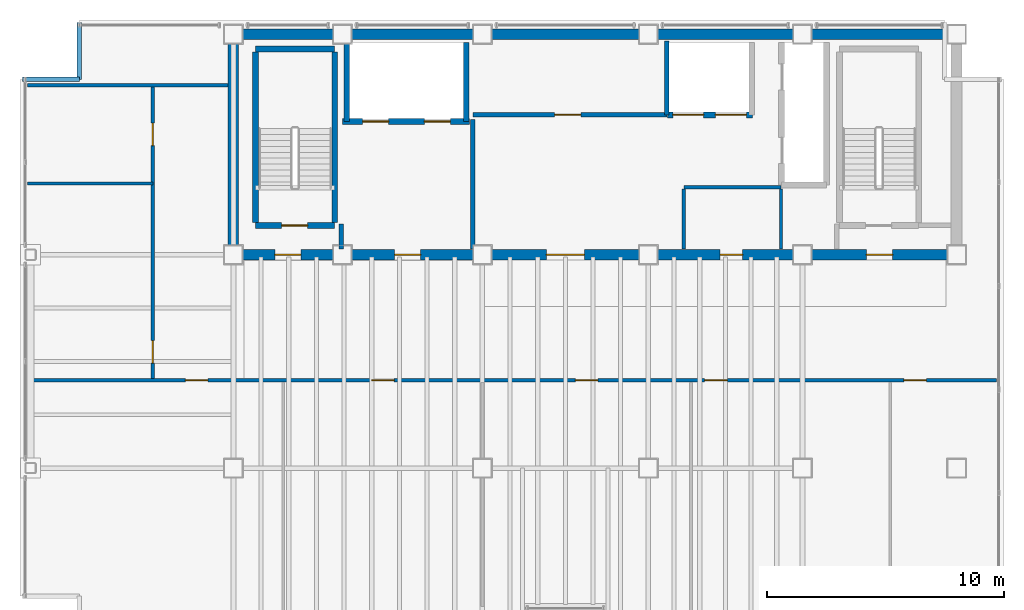
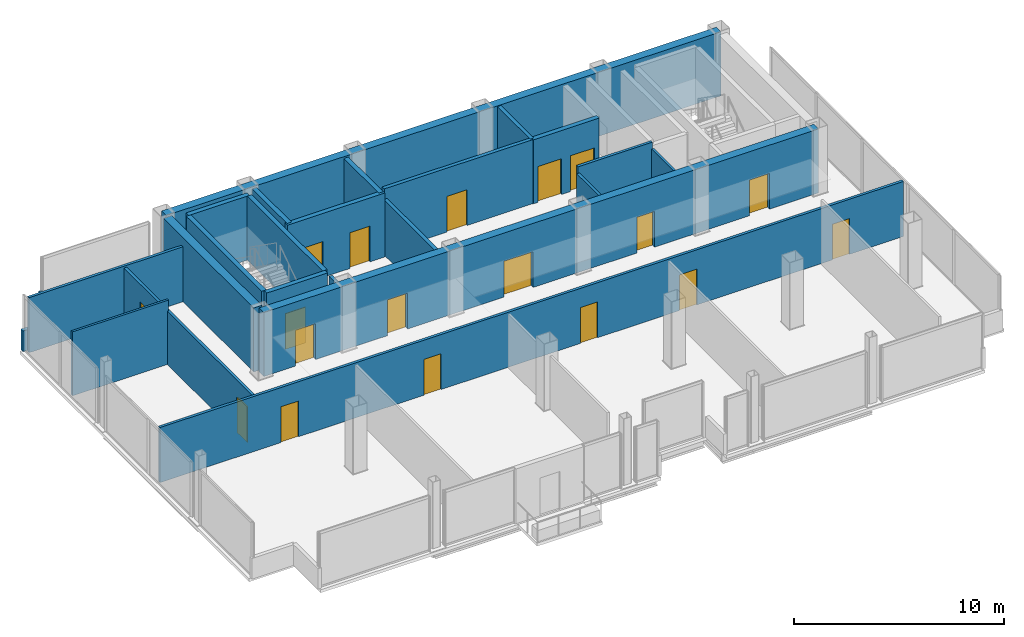
# One storey, part 14 of 16: 24 walls, 18 doors, 18 openings.
"""IFC4 building model written with IfcOpenShell, lengths in metres."""

import ifcopenshell
import ifcopenshell.guid

model = None  # the IFC model being written
_history = None  # IfcOwnerHistory: only IFC2X3 demands one
_inside = {}  # id of a spatial element -> (the spatial element, [elements in it])
_under = {}  # id of a project, library or spatial element -> (it, [spatial elements below it])
_declared = {}  # id of a project -> (the project, [libraries it declares])
_typed = {}  # id of a type object -> (the type object, [elements of that type])
_made_of = {}  # id of a material, layer set ... -> (it, [elements and type objects made of it])


def new_model(schema):
    """Start an empty IFC model of exactly this schema.

    Asked for "IFC4X3", IfcOpenShell would pick the latest addendum, in which some entities
    have other attributes; the version numbers below select the first issue.
    IFC2X3 requires an IfcOwnerHistory on every rooted entity: one is made here for all.
    """
    global model, _history
    if schema == "IFC4X3":
        model = ifcopenshell.file(schema_version=(4, 3, 0, 0))
    else:
        model = ifcopenshell.file(schema=schema)
    _inside.clear()
    _under.clear()
    _declared.clear()
    _typed.clear()
    _made_of.clear()
    _history = None
    if model.schema == "IFC2X3":
        org = make("IfcOrganization", Name="unknown")
        user = make(
            "IfcPersonAndOrganization",
            ThePerson=make("IfcPerson", FamilyName="unknown"),
            TheOrganization=org,
        )
        app = make(
            "IfcApplication",
            ApplicationDeveloper=org,
            Version="unknown",
            ApplicationFullName="unknown",
            ApplicationIdentifier="unknown",
        )
        _history = make(
            "IfcOwnerHistory",
            OwningUser=user,
            OwningApplication=app,
            ChangeAction="ADDED",
            CreationDate=0,
        )
    return model


def make(cls, **values):
    """One entity of the class cls with the attributes given. An attribute that is None is left unset."""
    return model.create_entity(
        cls, **{name: value for name, value in values.items() if value is not None}
    )


def rooted(cls, **values):
    """An entity with a GlobalId (a new one), such as an element, a storey or a relation."""
    return make(cls, GlobalId=ifcopenshell.guid.new(), OwnerHistory=_history, **values)


def si_unit(unit_type, name, prefix=None):
    """IfcSIUnit, for example si_unit("LENGTHUNIT", "METRE", prefix="MILLI")."""
    return make("IfcSIUnit", UnitType=unit_type, Prefix=prefix, Name=name)


def assignment(units):
    """IfcUnitAssignment: the units of a project."""
    return None if units is None else make("IfcUnitAssignment", Units=units)


def point(xyz):
    """IfcCartesianPoint."""
    return None if xyz is None else make("IfcCartesianPoint", Coordinates=xyz)


def direction(xyz):
    """IfcDirection."""
    return None if xyz is None else make("IfcDirection", DirectionRatios=xyz)


def frame(location, z_axis=None, x_axis=None):
    """IfcAxis2Placement3D, a coordinate frame: its origin and axes. An axis left out is left unset."""
    return make(
        "IfcAxis2Placement3D",
        Location=point(location),
        Axis=direction(z_axis),
        RefDirection=direction(x_axis),
    )


def frame_2d(location, x_axis=None):
    """IfcAxis2Placement2D, a coordinate frame in the plane: its origin and x axis."""
    return make(
        "IfcAxis2Placement2D", Location=point(location), RefDirection=direction(x_axis)
    )


def origin():
    """The frame at (0, 0, 0) with its axes left unset."""
    return frame((0.0, 0.0, 0.0))


def place(relative_to, where):
    """IfcLocalPlacement: puts the frame where relative to a parent placement (None: the world)."""
    return make(
        "IfcLocalPlacement", PlacementRelTo=relative_to, RelativePlacement=where
    )


def context(
    kind, dimensions, precision=None, world=None, true_north=None, identifier=None
):
    """IfcGeometricRepresentationContext, for example the 3D "Model" context."""
    return make(
        "IfcGeometricRepresentationContext",
        ContextIdentifier=identifier,
        ContextType=kind,
        CoordinateSpaceDimension=dimensions,
        Precision=precision,
        WorldCoordinateSystem=world,
        TrueNorth=true_north,
    )


def subcontext(parent, identifier, kind, view, scale=None):
    """IfcGeometricRepresentationSubContext, for example "Body" below "Model"."""
    return make(
        "IfcGeometricRepresentationSubContext",
        ContextIdentifier=identifier,
        ContextType=kind,
        ParentContext=parent,
        TargetScale=scale,
        TargetView=view,
    )


def project(units=None, contexts=None):
    """IfcProject with its units and contexts."""
    return rooted(
        "IfcProject",
        Name="project",
        RepresentationContexts=contexts,
        UnitsInContext=assignment(units),
    )


def spatial(cls, under=None, at=None, **own):
    """A site, building, storey or space (cls), placed at a placement, below another one or the project."""
    s = rooted(cls, ObjectPlacement=at, **own)
    if under is not None:
        _under.setdefault(under.id(), (under, []))[1].append(s)
    return s


def profile(cls, at=None, kind="AREA", **sizes):
    """A parametric profile (cls). Its sizes go by their IFC names, for example OverallWidth=200.0."""
    return make(cls, ProfileType=kind, Position=at, **sizes)


def rectangle(**sizes):
    """IfcRectangleProfileDef."""
    return profile("IfcRectangleProfileDef", **sizes)


def extrude(swept, where, along, depth):
    """IfcExtrudedAreaSolid: the profile swept, set in the frame where, extruded along a direction by depth."""
    return make(
        "IfcExtrudedAreaSolid",
        SweptArea=swept,
        Position=where,
        ExtrudedDirection=direction(along),
        Depth=depth,
    )


def shape(context_of_items, identifier, shape_type, items):
    """IfcShapeRepresentation: the items that make up one representation, for example the "Body"."""
    return make(
        "IfcShapeRepresentation",
        ContextOfItems=context_of_items,
        RepresentationIdentifier=identifier,
        RepresentationType=shape_type,
        Items=items,
    )


def material(Name=None, Category=None):
    """IfcMaterial."""
    return make("IfcMaterial", Name=Name, Category=Category)


def layer(
    of_material, thickness, ventilated=None, Name=None, Category=None, Priority=None
):
    """IfcMaterialLayer: one layer of a wall or slab, of a material (None: an air gap)."""
    return make(
        "IfcMaterialLayer",
        Material=of_material,
        LayerThickness=thickness,
        IsVentilated=ventilated,
        Name=Name,
        Category=Category,
        Priority=Priority,
    )


def layer_set(layers, Name=None):
    """IfcMaterialLayerSet."""
    return make("IfcMaterialLayerSet", MaterialLayers=layers, LayerSetName=Name)


def made_of(thing, what):
    """Note that an element or type object is made of a material, layer set ...; save() writes the relation."""
    if what is not None:
        _made_of.setdefault(what.id(), (what, []))[1].append(thing)
    return thing


def type_object(cls, material=None, **own):
    """A type object (cls), such as IfcWallType, which elements share."""
    return made_of(rooted(cls, **own), material)


def element(
    cls,
    number,
    at=None,
    inside=None,
    cuts=None,
    type_object=None,
    material=None,
    context=None,
    identifier="Body",
    shape_type=None,
    held_by="IfcProductDefinitionShape",
    body=None,
    shapes=None,
    **own,
):
    """One element of the class cls, such as IfcWall. Its Tag is "e" and its number.

    at: its placement. inside: the storey or other place that contains it. cuts: it is an
    opening in that element (IfcRelVoidsElement). A single representation is given by context,
    identifier, shape_type and body (its items); several are given by shapes. held_by: the class
    of the entity that holds the representations. save() writes the other relations.
    """
    e = rooted(cls, Tag="e%d" % number, ObjectPlacement=at, **own)
    if body is not None:
        shapes = [shape(context, identifier, shape_type, body)]
    if shapes is not None:
        e.Representation = make(held_by, Representations=shapes)
    if inside is not None:
        _inside.setdefault(inside.id(), (inside, []))[1].append(e)
    if cuts is not None:
        rooted(
            "IfcRelVoidsElement", RelatingBuildingElement=cuts, RelatedOpeningElement=e
        )
    if type_object is not None:
        _typed.setdefault(type_object.id(), (type_object, []))[1].append(e)
    return made_of(e, material)


def fill(opening, filler):
    """IfcRelFillsElement: the door or window that sits in an opening."""
    return rooted(
        "IfcRelFillsElement",
        RelatingOpeningElement=opening,
        RelatedBuildingElement=filler,
    )


def aggregate(whole, parts):
    """IfcRelAggregates: a whole, such as a stair, and the parts it consists of."""
    return rooted("IfcRelAggregates", RelatingObject=whole, RelatedObjects=parts)


def save(model, path):
    """Write the relations noted so far, then the file.

    IfcRelAggregates (storeys below a building ...), IfcRelContainedInSpatialStructure (elements
    in a storey), IfcRelDefinesByType, IfcRelAssociatesMaterial and IfcRelDeclares: one each for
    every whole, place, type object, material and project.
    """
    for whole, parts in _under.values():
        aggregate(whole, parts)
    for where, things in _inside.values():
        rooted(
            "IfcRelContainedInSpatialStructure",
            RelatedElements=things,
            RelatingStructure=where,
        )
    for kind, things in _typed.values():
        rooted("IfcRelDefinesByType", RelatedObjects=things, RelatingType=kind)
    for what, things in _made_of.values():
        rooted("IfcRelAssociatesMaterial", RelatedObjects=things, RelatingMaterial=what)
    for by, libraries in _declared.values():
        rooted("IfcRelDeclares", RelatingContext=by, RelatedDefinitions=libraries)
    model.write(path)


model = new_model("IFC4")

# Units and contexts
model_context = context("Model", 3, precision=1e-05, world=origin(), true_north=direction((0.0, 1.0)))
body_context = subcontext(model_context, "Body", "Model", "MODEL_VIEW")
ifc_project = project(units=[si_unit("LENGTHUNIT", "METRE"), si_unit("AREAUNIT", "SQUARE_METRE"), si_unit("VOLUMEUNIT", "CUBIC_METRE"), si_unit("PLANEANGLEUNIT", "RADIAN"), si_unit("MASSUNIT", "GRAM", prefix="KILO")], contexts=[model_context])

# Site, building, storey
site_placement = place(None, origin())
site = spatial("IfcSite", under=ifc_project, at=site_placement, CompositionType="ELEMENT")
building_placement = place(site_placement, origin())
building = spatial("IfcBuilding", under=site, at=building_placement, Name="Noeulbin Bourse Tower", CompositionType="ELEMENT")
storey_placement = place(building_placement, frame((0.0, 0.0, 234.5)))
storey = spatial("IfcBuildingStorey", under=building, at=storey_placement, Name="L58", CompositionType="ELEMENT", Elevation=234.5)

# Wall, openings, doors
ifc_material_1 = material(Name="Concrete C50/60", Category="concrete")
ifc_layer_1 = layer(ifc_material_1, 0.449951171875)
ifc_layer_set_1 = layer_set([ifc_layer_1], Name="Concrete C50/60")
wall_type_1 = type_object("IfcWallType", Name="WAL-CORE-450", PredefinedType="SHEAR", material=ifc_layer_set_1)
wall_1_placement = place(storey_placement, frame((13.5, 29.0, 0.0), z_axis=(0.0, 0.0, 1.0), x_axis=(1.0, 0.0, 0.0)))
wall_1 = element("IfcWall", 1, at=wall_1_placement, inside=storey, type_object=wall_type_1, Name="Rear Core South Shear Wall L58", PredefinedType="SHEAR", context=body_context, shape_type="SweptSolid", body=[
    extrude(rectangle(XDim=30.5, YDim=0.449951171875, at=frame_2d((15.25, 0.0))), origin(), (0.0, 0.0, 1.0), 3.719970703125),
])
opening_1_placement = place(wall_1_placement, frame((1.75, 0.0, 0.0)))
opening_1 = element("IfcOpeningElement", 2, at=opening_1_placement, cuts=wall_1, Name="Opening FD-11", PredefinedType="OPENING", context=body_context, shape_type="SweptSolid", body=[
    extrude(rectangle(XDim=1.10009765625, YDim=2.080078125, at=frame_2d((0.550048828125, 1.0400390625))), frame((0.0, 0.23486328125, 0.0), z_axis=(0.0, -1.0, 0.0), x_axis=(1.0, 0.0, 0.0)), (0.0, 0.0, 1.0), 0.469970703125),
])
opening_2_placement = place(wall_1_placement, frame((26.699951171875, 0.0, 0.0)))
opening_2 = element("IfcOpeningElement", 3, at=opening_2_placement, cuts=wall_1, Name="Opening FD-11", PredefinedType="OPENING", context=body_context, shape_type="SweptSolid", body=[
    extrude(rectangle(XDim=1.10009765625, YDim=2.080078125, at=frame_2d((0.550048828125, 1.0400390625))), frame((0.0, 0.23486328125, 0.0), z_axis=(0.0, -1.0, 0.0), x_axis=(1.0, 0.0, 0.0)), (0.0, 0.0, 1.0), 0.469970703125),
])
opening_3_placement = place(wall_1_placement, frame((6.800048828125, 0.0, 0.0)))
opening_3 = element("IfcOpeningElement", 4, at=opening_3_placement, cuts=wall_1, Name="Opening FD-11", PredefinedType="OPENING", context=body_context, shape_type="SweptSolid", body=[
    extrude(rectangle(XDim=1.10009765625, YDim=2.080078125, at=frame_2d((0.550048828125, 1.0400390625))), frame((0.0, 0.23486328125, 0.0), z_axis=(0.0, -1.0, 0.0), x_axis=(1.0, 0.0, 0.0)), (0.0, 0.0, 1.0), 0.469970703125),
])
opening_4_placement = place(wall_1_placement, frame((13.199951171875, 0.0, 0.0)))
opening_4 = element("IfcOpeningElement", 5, at=opening_4_placement, cuts=wall_1, Name="Opening ID-16", PredefinedType="OPENING", context=body_context, shape_type="SweptSolid", body=[
    extrude(rectangle(XDim=1.60009765625, YDim=2.080078125, at=frame_2d((0.800048828125, 1.0400390625))), frame((0.0, 0.23486328125, 0.0), z_axis=(0.0, -1.0, 0.0), x_axis=(1.0, 0.0, 0.0)), (0.0, 0.0, 1.0), 0.469970703125),
])
opening_5_placement = place(wall_1_placement, frame((20.52490234375, 0.0, 0.0)))
opening_5 = element("IfcOpeningElement", 6, at=opening_5_placement, cuts=wall_1, Name="Opening ID-09", PredefinedType="OPENING", context=body_context, shape_type="SweptSolid", body=[
    extrude(rectangle(XDim=0.949951171875, YDim=2.080078125, at=frame_2d((0.47509765625, 1.0400390625))), frame((0.0, 0.23486328125, 0.0), z_axis=(0.0, -1.0, 0.0), x_axis=(1.0, 0.0, 0.0)), (0.0, 0.0, 1.0), 0.469970703125),
])
ifc_material_2 = material(Name="Acoustic Glazed Aluminium", Category="aluminium")
door_type_1 = type_object("IfcDoorType", Name="DR-DBL-1600", OperationType="DOUBLE_DOOR_SINGLE_SWING", PredefinedType="DOOR", material=ifc_material_2)
door_1_placement = place(opening_4_placement, origin())
door_1 = element("IfcDoor", 7, at=door_1_placement, inside=storey, type_object=door_type_1, Name="Passenger Lift Lobby Portal L58", OperationType="DOUBLE_DOOR_SINGLE_SWING", OverallHeight=2.080078125, OverallWidth=1.60009765625, PredefinedType="DOOR", context=body_context, shape_type="SweptSolid", body=[
    extrude(rectangle(XDim=1.60009765625, YDim=2.080078125, at=frame_2d((0.800048828125, 1.0400390625))), frame((0.0, 0.02490234375, 0.0), z_axis=(0.0, -1.0, 0.0), x_axis=(1.0, 0.0, 0.0)), (0.0, 0.0, 1.0), 0.050048828125),
])
fill(opening_4, door_1)
ifc_material_3 = material(Name="Fire-Rated Insulated Steel", Category="steel")
door_type_2 = type_object("IfcDoorType", Name="DR-FD60-1100", OperationType="SINGLE_SWING_LEFT", PredefinedType="DOOR", material=ifc_material_3)
door_2_placement = place(opening_1_placement, origin())
door_2 = element("IfcDoor", 8, at=door_2_placement, inside=storey, type_object=door_type_2, Name="West Stair Lobby Door L58", OperationType="SINGLE_SWING_RIGHT", OverallHeight=2.080078125, OverallWidth=1.10009765625, PredefinedType="DOOR", context=body_context, shape_type="SweptSolid", body=[
    extrude(rectangle(XDim=1.10009765625, YDim=2.080078125, at=frame_2d((0.550048828125, 1.0400390625))), frame((0.0, 0.02490234375, 0.0), z_axis=(0.0, -1.0, 0.0), x_axis=(1.0, 0.0, 0.0)), (0.0, 0.0, 1.0), 0.050048828125),
])
fill(opening_1, door_2)
door_3_placement = place(opening_2_placement, origin())
door_3 = element("IfcDoor", 9, at=door_3_placement, inside=storey, type_object=door_type_2, Name="East Stair Lobby Door L58", OperationType="SINGLE_SWING_LEFT", OverallHeight=2.080078125, OverallWidth=1.10009765625, PredefinedType="DOOR", context=body_context, shape_type="SweptSolid", body=[
    extrude(rectangle(XDim=1.10009765625, YDim=2.080078125, at=frame_2d((0.550048828125, 1.0400390625))), frame((0.0, 0.02490234375, 0.0), z_axis=(0.0, -1.0, 0.0), x_axis=(1.0, 0.0, 0.0)), (0.0, 0.0, 1.0), 0.050048828125),
])
fill(opening_2, door_3)
door_4_placement = place(opening_3_placement, origin())
door_4 = element("IfcDoor", 10, at=door_4_placement, inside=storey, type_object=door_type_2, Name="Firefighting Lobby Door L58", OperationType="SINGLE_SWING_RIGHT", OverallHeight=2.080078125, OverallWidth=1.10009765625, PredefinedType="DOOR", context=body_context, shape_type="SweptSolid", body=[
    extrude(rectangle(XDim=1.10009765625, YDim=2.080078125, at=frame_2d((0.550048828125, 1.0400390625))), frame((0.0, 0.02490234375, 0.0), z_axis=(0.0, -1.0, 0.0), x_axis=(1.0, 0.0, 0.0)), (0.0, 0.0, 1.0), 0.050048828125),
])
fill(opening_3, door_4)
ifc_material_4 = material(Name="Acoustic Solid-Core Timber", Category="wood")
door_type_3 = type_object("IfcDoorType", Name="DR-SINGLE-950", OperationType="SINGLE_SWING_LEFT", PredefinedType="DOOR", material=ifc_material_4)
door_5_placement = place(opening_5_placement, origin())
door_5 = element("IfcDoor", 11, at=door_5_placement, inside=storey, type_object=door_type_3, Name="Interior Door L58-06", OperationType="SINGLE_SWING_LEFT", OverallHeight=2.080078125, OverallWidth=0.949951171875, PredefinedType="DOOR", context=body_context, shape_type="SweptSolid", body=[
    extrude(rectangle(XDim=0.949951171875, YDim=2.080078125, at=frame_2d((0.47509765625, 1.0400390625))), frame((0.0, 0.02490234375, 0.0), z_axis=(0.0, -1.0, 0.0), x_axis=(1.0, 0.0, 0.0)), (0.0, 0.0, 1.0), 0.050048828125),
])
fill(opening_5, door_5)

# Walls
wall_2_placement = place(storey_placement, frame((13.5, 38.300048828125, 0.0), z_axis=(0.0, 0.0, 1.0), x_axis=(1.0, 0.0, 0.0)))
element("IfcWall", 12, at=wall_2_placement, inside=storey, type_object=wall_type_1, Name="Rear Core North Shear Wall L58", PredefinedType="SHEAR", context=body_context, shape_type="SweptSolid", body=[
    extrude(rectangle(XDim=30.5, YDim=0.449951171875, at=frame_2d((15.25, 0.0))), origin(), (0.0, 0.0, 1.0), 3.719970703125),
])
wall_3_placement = place(storey_placement, frame((13.5, 29.35009765625, 0.0), z_axis=(0.0, 0.0, 1.0), x_axis=(0.0, 1.0, 0.0)))
element("IfcWall", 13, at=wall_3_placement, inside=storey, type_object=wall_type_1, Name="Rear Core West Shear Wall L58", PredefinedType="SHEAR", context=body_context, shape_type="SweptSolid", body=[
    extrude(rectangle(XDim=8.599853515625, YDim=0.449951171875, at=frame_2d((4.2998046875, 0.0))), origin(), (0.0, 0.0, 1.0), 3.719970703125),
])

# Wall, opening, door
ifc_material_5 = material(Name="Concrete C40/50", Category="concrete")
ifc_layer_2 = layer(ifc_material_5, 0.199951171875)
ifc_layer_set_2 = layer_set([ifc_layer_2], Name="Concrete C40/50")
wall_type_2 = type_object("IfcWallType", Name="WAL-FIRE-200", PredefinedType="STANDARD", material=ifc_layer_set_2)
wall_4_placement = place(storey_placement, frame((23.60009765625, 34.89990234375, 0.0), z_axis=(0.0, 0.0, 1.0), x_axis=(1.0, 0.0, 0.0)))
wall_4 = element("IfcWall", 14, at=wall_4_placement, inside=storey, type_object=wall_type_2, Name="Interior Partition Wall L58-02", PredefinedType="STANDARD", context=body_context, shape_type="SweptSolid", body=[
    extrude(rectangle(XDim=8.179931640625, YDim=0.199951171875, at=frame_2d((4.08984375, 0.0))), origin(), (0.0, 0.0, 1.0), 3.719970703125),
])
opening_6_placement = place(wall_4_placement, frame((3.449951171875, 0.0, 0.0)))
opening_6 = element("IfcOpeningElement", 15, at=opening_6_placement, cuts=wall_4, Name="Opening FD-11", PredefinedType="OPENING", context=body_context, shape_type="SweptSolid", body=[
    extrude(rectangle(XDim=1.10009765625, YDim=2.080078125, at=frame_2d((0.550048828125, 1.0400390625))), frame((0.0, 0.10986328125, 0.0), z_axis=(0.0, -1.0, 0.0), x_axis=(1.0, 0.0, 0.0)), (0.0, 0.0, 1.0), 0.219970703125),
])
door_6_placement = place(opening_6_placement, origin())
door_6 = element("IfcDoor", 16, at=door_6_placement, inside=storey, type_object=door_type_2, Name="Telemetry Server Door L58", OperationType="SINGLE_SWING_RIGHT", OverallHeight=2.080078125, OverallWidth=1.10009765625, PredefinedType="DOOR", context=body_context, shape_type="SweptSolid", body=[
    extrude(rectangle(XDim=1.10009765625, YDim=2.080078125, at=frame_2d((0.550048828125, 1.0400390625))), frame((0.0, 0.02490234375, 0.0), z_axis=(0.0, -1.0, 0.0), x_axis=(1.0, 0.0, 0.0)), (0.0, 0.0, 1.0), 0.050048828125),
])
fill(opening_6, door_6)

# Walls
wall_5_placement = place(storey_placement, frame((18.050048828125, 29.235107421875, 0.0), z_axis=(0.0, 0.0, 1.0), x_axis=(0.0, 1.0, 0.0)))
element("IfcWall", 17, at=wall_5_placement, inside=storey, type_object=wall_type_2, Name="Interior Partition Wall L58-07", PredefinedType="STANDARD", context=body_context, shape_type="SweptSolid", body=[
    extrude(rectangle(XDim=1.06494140625, YDim=0.199951171875, at=frame_2d((0.532470703125, 0.0))), origin(), (0.0, 0.0, 1.0), 3.35009765625),
])
wall_6_placement = place(storey_placement, frame((23.60009765625, 29.235107421875, 0.0), z_axis=(0.0, 0.0, 1.0), x_axis=(0.0, 1.0, 0.0)))
element("IfcWall", 18, at=wall_6_placement, inside=storey, type_object=wall_type_2, Name="Interior Partition Wall L58-09", PredefinedType="STANDARD", context=body_context, shape_type="SweptSolid", body=[
    extrude(rectangle(XDim=5.46484375, YDim=0.199951171875, at=frame_2d((2.732421875, 0.0))), origin(), (0.0, 0.0, 1.0), 3.199951171875),
])
ifc_layer_3 = layer(ifc_material_5, 0.199951171875)
ifc_layer_set_3 = layer_set([ifc_layer_3], Name="Concrete C40/50")
wall_type_3 = type_object("IfcWallType", Name="WAL-PAR-200", PredefinedType="PARAPET", material=ifc_layer_set_3)
wall_7_placement = place(storey_placement, frame((4.60009765625, 36.39990234375, 0.0), z_axis=(0.0, 0.0, 1.0), x_axis=(1.0, 0.0, 0.0)))
element("IfcWall", 19, at=wall_7_placement, inside=storey, type_object=wall_type_3, Name="Corner Notch Parapet L58-NW1", PredefinedType="PARAPET", context=body_context, shape_type="SweptSolid", body=[
    extrude(rectangle(XDim=2.39990234375, YDim=0.199951171875, at=frame_2d((1.199951171875, 0.0))), origin(), (0.0, 0.0, 1.0), 1.199951171875),
])
wall_8_placement = place(storey_placement, frame((7.0, 36.39990234375, 0.0), z_axis=(0.0, 0.0, 1.0), x_axis=(0.0, 1.0, 0.0)))
element("IfcWall", 20, at=wall_8_placement, inside=storey, type_object=wall_type_3, Name="Corner Notch Parapet L58-NW2", PredefinedType="PARAPET", context=body_context, shape_type="SweptSolid", body=[
    extrude(rectangle(XDim=2.400146484375, YDim=0.199951171875, at=frame_2d((1.2001953125, 0.0))), origin(), (0.0, 0.0, 1.0), 1.199951171875),
])
ifc_material_6 = material(Name="Steel Stud Gypsum Partition", Category="steel")
ifc_layer_4 = layer(ifc_material_6, 0.1201171875)
ifc_layer_set_4 = layer_set([ifc_layer_4], Name="Steel Stud Gypsum Partition")
wall_type_4 = type_object("IfcWallType", Name="WAL-PRT-120", PredefinedType="PARTITIONING", material=ifc_layer_set_4)
wall_9_placement = place(storey_placement, frame((4.81005859375, 32.0, 0.0), z_axis=(0.0, 0.0, 1.0), x_axis=(1.0, 0.0, 0.0)))
element("IfcWall", 21, at=wall_9_placement, inside=storey, type_object=wall_type_4, Name="Interior Partition Wall L58-06", PredefinedType="PARTITIONING", context=body_context, shape_type="SweptSolid", body=[
    extrude(rectangle(XDim=5.2900390625, YDim=0.1201171875, at=frame_2d((2.64501953125, 0.0))), origin(), (0.0, 0.0, 1.0), 3.719970703125),
])
wall_10_placement = place(storey_placement, frame((36.60009765625, 29.235107421875, 0.0), z_axis=(0.0, 0.0, 1.0), x_axis=(0.0, 1.0, 0.0)))
element("IfcWall", 22, at=wall_10_placement, inside=storey, type_object=wall_type_4, Name="Interior Partition Wall L58-11", PredefinedType="PARTITIONING", context=body_context, shape_type="SweptSolid", body=[
    extrude(rectangle(XDim=2.52978515625, YDim=0.1201171875, at=frame_2d((1.264892578125, 0.0))), origin(), (0.0, 0.0, 1.0), 3.35009765625),
])
ifc_material_7 = material(Name="Steel Stud Acoustic Gypsum Board", Category="steel")
ifc_layer_5 = layer(ifc_material_7, 0.14990234375)
ifc_layer_set_5 = layer_set([ifc_layer_5], Name="Steel Stud Acoustic Gypsum Board")
wall_type_5 = type_object("IfcWallType", Name="WAL-PRT-150", PredefinedType="PARTITIONING", material=ifc_layer_set_5)
wall_11_placement = place(storey_placement, frame((32.5, 31.85009765625, 0.0), z_axis=(0.0, 0.0, 1.0), x_axis=(1.0, 0.0, 0.0)))
element("IfcWall", 23, at=wall_11_placement, inside=storey, type_object=wall_type_5, Name="Interior Partition Wall L58-03", PredefinedType="PARTITIONING", context=body_context, shape_type="SweptSolid", body=[
    extrude(rectangle(XDim=4.10009765625, YDim=0.14990234375, at=frame_2d((2.050048828125, 0.0))), origin(), (0.0, 0.0, 1.0), 3.719970703125),
])

# Wall, openings, doors
wall_12_placement = place(storey_placement, frame((4.81005859375, 23.699951171875, 0.0), z_axis=(0.0, 0.0, 1.0), x_axis=(1.0, 0.0, 0.0)))
wall_12 = element("IfcWall", 24, at=wall_12_placement, inside=storey, type_object=wall_type_5, Name="Interior Partition Wall L58-04", PredefinedType="PARTITIONING", context=body_context, shape_type="SweptSolid", body=[
    extrude(rectangle(XDim=40.8798828125, YDim=0.14990234375, at=frame_2d((20.43994140625, 0.0))), origin(), (0.0, 0.0, 1.0), 3.199951171875),
])
opening_7_placement = place(wall_12_placement, frame((6.6650390625, 0.0, 0.0)))
opening_7 = element("IfcOpeningElement", 25, at=opening_7_placement, cuts=wall_12, Name="Opening ID-09", PredefinedType="OPENING", context=body_context, shape_type="SweptSolid", body=[
    extrude(rectangle(XDim=0.949951171875, YDim=2.080078125, at=frame_2d((0.47509765625, 1.0400390625))), frame((0.0, 0.0849609375, 0.0), z_axis=(0.0, -1.0, 0.0), x_axis=(1.0, 0.0, 0.0)), (0.0, 0.0, 1.0), 0.169921875),
])
opening_8_placement = place(wall_12_placement, frame((14.514892578125, 0.0, 0.0)))
opening_8 = element("IfcOpeningElement", 26, at=opening_8_placement, cuts=wall_12, Name="Opening ID-09", PredefinedType="OPENING", context=body_context, shape_type="SweptSolid", body=[
    extrude(rectangle(XDim=0.949951171875, YDim=2.080078125, at=frame_2d((0.47509765625, 1.0400390625))), frame((0.0, 0.0849609375, 0.0), z_axis=(0.0, -1.0, 0.0), x_axis=(1.0, 0.0, 0.0)), (0.0, 0.0, 1.0), 0.169921875),
])
opening_9_placement = place(wall_12_placement, frame((23.114990234375, 0.0, 0.0)))
opening_9 = element("IfcOpeningElement", 27, at=opening_9_placement, cuts=wall_12, Name="Opening ID-09", PredefinedType="OPENING", context=body_context, shape_type="SweptSolid", body=[
    extrude(rectangle(XDim=0.949951171875, YDim=2.080078125, at=frame_2d((0.47509765625, 1.0400390625))), frame((0.0, 0.0849609375, 0.0), z_axis=(0.0, -1.0, 0.0), x_axis=(1.0, 0.0, 0.0)), (0.0, 0.0, 1.0), 0.169921875),
])
opening_10_placement = place(wall_12_placement, frame((28.56494140625, 0.0, 0.0)))
opening_10 = element("IfcOpeningElement", 28, at=opening_10_placement, cuts=wall_12, Name="Opening ID-09", PredefinedType="OPENING", context=body_context, shape_type="SweptSolid", body=[
    extrude(rectangle(XDim=0.949951171875, YDim=2.080078125, at=frame_2d((0.47509765625, 1.0400390625))), frame((0.0, 0.0849609375, 0.0), z_axis=(0.0, -1.0, 0.0), x_axis=(1.0, 0.0, 0.0)), (0.0, 0.0, 1.0), 0.169921875),
])
opening_11_placement = place(wall_12_placement, frame((36.965087890625, 0.0, 0.0)))
opening_11 = element("IfcOpeningElement", 29, at=opening_11_placement, cuts=wall_12, Name="Opening ID-09", PredefinedType="OPENING", context=body_context, shape_type="SweptSolid", body=[
    extrude(rectangle(XDim=0.949951171875, YDim=2.080078125, at=frame_2d((0.47509765625, 1.0400390625))), frame((0.0, 0.0849609375, 0.0), z_axis=(0.0, -1.0, 0.0), x_axis=(1.0, 0.0, 0.0)), (0.0, 0.0, 1.0), 0.169921875),
])
door_7_placement = place(opening_7_placement, origin())
door_7 = element("IfcDoor", 30, at=door_7_placement, inside=storey, type_object=door_type_3, Name="Interior Door L58-07", OperationType="SINGLE_SWING_RIGHT", OverallHeight=2.080078125, OverallWidth=0.949951171875, PredefinedType="DOOR", context=body_context, shape_type="SweptSolid", body=[
    extrude(rectangle(XDim=0.949951171875, YDim=2.080078125, at=frame_2d((0.47509765625, 1.0400390625))), frame((0.0, 0.02490234375, 0.0), z_axis=(0.0, -1.0, 0.0), x_axis=(1.0, 0.0, 0.0)), (0.0, 0.0, 1.0), 0.050048828125),
])
fill(opening_7, door_7)
door_8_placement = place(opening_8_placement, origin())
door_8 = element("IfcDoor", 31, at=door_8_placement, inside=storey, type_object=door_type_3, Name="Interior Door L58-08", OperationType="SINGLE_SWING_LEFT", OverallHeight=2.080078125, OverallWidth=0.949951171875, PredefinedType="DOOR", context=body_context, shape_type="SweptSolid", body=[
    extrude(rectangle(XDim=0.949951171875, YDim=2.080078125, at=frame_2d((0.47509765625, 1.0400390625))), frame((0.0, 0.02490234375, 0.0), z_axis=(0.0, -1.0, 0.0), x_axis=(1.0, 0.0, 0.0)), (0.0, 0.0, 1.0), 0.050048828125),
])
fill(opening_8, door_8)
door_9_placement = place(opening_9_placement, origin())
door_9 = element("IfcDoor", 32, at=door_9_placement, inside=storey, type_object=door_type_3, Name="Interior Door L58-09", OperationType="SINGLE_SWING_RIGHT", OverallHeight=2.080078125, OverallWidth=0.949951171875, PredefinedType="DOOR", context=body_context, shape_type="SweptSolid", body=[
    extrude(rectangle(XDim=0.949951171875, YDim=2.080078125, at=frame_2d((0.47509765625, 1.0400390625))), frame((0.0, 0.02490234375, 0.0), z_axis=(0.0, -1.0, 0.0), x_axis=(1.0, 0.0, 0.0)), (0.0, 0.0, 1.0), 0.050048828125),
])
fill(opening_9, door_9)
door_10_placement = place(opening_10_placement, origin())
door_10 = element("IfcDoor", 33, at=door_10_placement, inside=storey, type_object=door_type_3, Name="Interior Door L58-10", OperationType="SINGLE_SWING_LEFT", OverallHeight=2.080078125, OverallWidth=0.949951171875, PredefinedType="DOOR", context=body_context, shape_type="SweptSolid", body=[
    extrude(rectangle(XDim=0.949951171875, YDim=2.080078125, at=frame_2d((0.47509765625, 1.0400390625))), frame((0.0, 0.02490234375, 0.0), z_axis=(0.0, -1.0, 0.0), x_axis=(1.0, 0.0, 0.0)), (0.0, 0.0, 1.0), 0.050048828125),
])
fill(opening_10, door_10)
door_11_placement = place(opening_11_placement, origin())
door_11 = element("IfcDoor", 34, at=door_11_placement, inside=storey, type_object=door_type_3, Name="Interior Door L58-11", OperationType="SINGLE_SWING_RIGHT", OverallHeight=2.080078125, OverallWidth=0.949951171875, PredefinedType="DOOR", context=body_context, shape_type="SweptSolid", body=[
    extrude(rectangle(XDim=0.949951171875, YDim=2.080078125, at=frame_2d((0.47509765625, 1.0400390625))), frame((0.0, 0.02490234375, 0.0), z_axis=(0.0, -1.0, 0.0), x_axis=(1.0, 0.0, 0.0)), (0.0, 0.0, 1.0), 0.050048828125),
])
fill(opening_11, door_11)

# Walls
wall_13_placement = place(storey_placement, frame((4.81005859375, 36.14990234375, 0.0), z_axis=(0.0, 0.0, 1.0), x_axis=(1.0, 0.0, 0.0)))
element("IfcWall", 35, at=wall_13_placement, inside=storey, type_object=wall_type_5, Name="Interior Partition Wall L58-05", PredefinedType="PARTITIONING", context=body_context, shape_type="SweptSolid", body=[
    extrude(rectangle(XDim=8.454833984375, YDim=0.14990234375, at=frame_2d((4.2275390625, 0.0))), origin(), (0.0, 0.0, 1.0), 3.199951171875),
])
wall_14_placement = place(storey_placement, frame((32.5, 29.235107421875, 0.0), z_axis=(0.0, 0.0, 1.0), x_axis=(0.0, 1.0, 0.0)))
element("IfcWall", 36, at=wall_14_placement, inside=storey, type_object=wall_type_5, Name="Interior Partition Wall L58-10", PredefinedType="PARTITIONING", context=body_context, shape_type="SweptSolid", body=[
    extrude(rectangle(XDim=2.52978515625, YDim=0.14990234375, at=frame_2d((1.264892578125, 0.0))), origin(), (0.0, 0.0, 1.0), 3.35009765625),
])

# Wall, openings, doors
wall_15_placement = place(storey_placement, frame((10.10009765625, 23.784912109375, 0.0), z_axis=(0.0, 0.0, 1.0), x_axis=(0.0, 1.0, 0.0)))
wall_15 = element("IfcWall", 37, at=wall_15_placement, inside=storey, type_object=wall_type_5, Name="Interior Partition Wall L58-12", PredefinedType="PARTITIONING", context=body_context, shape_type="SweptSolid", body=[
    extrude(rectangle(XDim=12.280029296875, YDim=0.14990234375, at=frame_2d((6.14013671875, 0.0))), origin(), (0.0, 0.0, 1.0), 3.10009765625),
])
opening_12_placement = place(wall_15_placement, frame((0.639892578125, 0.0, 0.0)))
opening_12 = element("IfcOpeningElement", 38, at=opening_12_placement, cuts=wall_15, Name="Opening ID-09", PredefinedType="OPENING", context=body_context, shape_type="SweptSolid", body=[
    extrude(rectangle(XDim=0.949951171875, YDim=2.080078125, at=frame_2d((0.47509765625, 1.0400390625))), frame((0.0, 0.0849609375, 0.0), z_axis=(0.0, -1.0, 0.0), x_axis=(1.0, 0.0, 0.0)), (0.0, 0.0, 1.0), 0.169921875),
])
opening_13_placement = place(wall_15_placement, frame((9.81494140625, 0.0, 0.0)))
opening_13 = element("IfcOpeningElement", 39, at=opening_13_placement, cuts=wall_15, Name="Opening ID-09", PredefinedType="OPENING", context=body_context, shape_type="SweptSolid", body=[
    extrude(rectangle(XDim=0.949951171875, YDim=2.080078125, at=frame_2d((0.47509765625, 1.0400390625))), frame((0.0, 0.0849609375, 0.0), z_axis=(0.0, -1.0, 0.0), x_axis=(1.0, 0.0, 0.0)), (0.0, 0.0, 1.0), 0.169921875),
])
door_12_placement = place(opening_12_placement, origin())
door_12 = element("IfcDoor", 40, at=door_12_placement, inside=storey, type_object=door_type_3, Name="Interior Door L58-12", OperationType="SINGLE_SWING_LEFT", OverallHeight=2.080078125, OverallWidth=0.949951171875, PredefinedType="DOOR", context=body_context, shape_type="SweptSolid", body=[
    extrude(rectangle(XDim=0.949951171875, YDim=2.080078125, at=frame_2d((0.47509765625, 1.0400390625))), frame((0.0, 0.02490234375, 0.0), z_axis=(0.0, -1.0, 0.0), x_axis=(1.0, 0.0, 0.0)), (0.0, 0.0, 1.0), 0.050048828125),
])
fill(opening_12, door_12)
door_13_placement = place(opening_13_placement, origin())
door_13 = element("IfcDoor", 41, at=door_13_placement, inside=storey, type_object=door_type_3, Name="Interior Door L58-13", OperationType="SINGLE_SWING_RIGHT", OverallHeight=2.080078125, OverallWidth=0.949951171875, PredefinedType="DOOR", context=body_context, shape_type="SweptSolid", body=[
    extrude(rectangle(XDim=0.949951171875, YDim=2.080078125, at=frame_2d((0.47509765625, 1.0400390625))), frame((0.0, 0.02490234375, 0.0), z_axis=(0.0, -1.0, 0.0), x_axis=(1.0, 0.0, 0.0)), (0.0, 0.0, 1.0), 0.050048828125),
])
fill(opening_13, door_13)

# Wall, opening, door
ifc_layer_6 = layer(ifc_material_5, 0.25)
ifc_layer_set_6 = layer_set([ifc_layer_6], Name="Concrete C40/50")
wall_type_6 = type_object("IfcWallType", Name="WAL-SHFT-250", PredefinedType="STANDARD", material=ifc_layer_set_6)
wall_16_placement = place(storey_placement, frame((14.429931640625, 30.235107421875, 0.0), z_axis=(0.0, 0.0, 1.0), x_axis=(1.0, 0.0, 0.0)))
wall_16 = element("IfcWall", 42, at=wall_16_placement, inside=storey, type_object=wall_type_6, Name="Stair ST-1 South Shaft Wall L58", PredefinedType="STANDARD", context=body_context, shape_type="SweptSolid", body=[
    extrude(rectangle(XDim=3.340087890625, YDim=0.25, at=frame_2d((1.669921875, 0.0))), origin(), (0.0, 0.0, 1.0), 3.719970703125),
])
opening_14_placement = place(wall_16_placement, frame((1.10009765625, 0.0, 0.0)))
opening_14 = element("IfcOpeningElement", 43, at=opening_14_placement, cuts=wall_16, Name="Opening FD-11", PredefinedType="OPENING", context=body_context, shape_type="SweptSolid", body=[
    extrude(rectangle(XDim=1.10009765625, YDim=2.080078125, at=frame_2d((0.550048828125, 1.0400390625))), frame((0.0, 0.135009765625, 0.0), z_axis=(0.0, -1.0, 0.0), x_axis=(1.0, 0.0, 0.0)), (0.0, 0.0, 1.0), 0.27001953125),
])
door_14_placement = place(opening_14_placement, origin())
door_14 = element("IfcDoor", 44, at=door_14_placement, inside=storey, type_object=door_type_2, Name="Protected Stair Entry Door ST1-L58", OperationType="SINGLE_SWING_RIGHT", OverallHeight=2.080078125, OverallWidth=1.10009765625, PredefinedType="DOOR", context=body_context, shape_type="SweptSolid", body=[
    extrude(rectangle(XDim=1.10009765625, YDim=2.080078125, at=frame_2d((0.550048828125, 1.0400390625))), frame((0.0, 0.02490234375, 0.0), z_axis=(0.0, -1.0, 0.0), x_axis=(1.0, 0.0, 0.0)), (0.0, 0.0, 1.0), 0.050048828125),
])
fill(opening_14, door_14)

# Walls
wall_17_placement = place(storey_placement, frame((14.429931640625, 37.6689453125, 0.0), z_axis=(0.0, 0.0, 1.0), x_axis=(1.0, 0.0, 0.0)))
element("IfcWall", 45, at=wall_17_placement, inside=storey, type_object=wall_type_6, Name="Stair ST-1 North Shaft Wall L58", PredefinedType="STANDARD", context=body_context, shape_type="SweptSolid", body=[
    extrude(rectangle(XDim=3.340087890625, YDim=0.25, at=frame_2d((1.669921875, 0.0))), origin(), (0.0, 0.0, 1.0), 3.719970703125),
])
for number, where, z_axis, x_axis, name in (
    (46, (14.425048828125, 30.360107421875, 0.0), (0.0, 0.0, 1.0), (0.0, 1.0, 0.0), "Stair ST-1 West Shaft Wall L58"),
    (47, (17.77490234375, 30.360107421875, 0.0), (0.0, 0.0, 1.0), (0.0, 1.0, 0.0), "Stair ST-1 East Shaft Wall L58"),
):
    element("IfcWall", number, at=place(storey_placement, frame(where, z_axis=z_axis, x_axis=x_axis)), inside=storey, type_object=wall_type_6, Name=name, PredefinedType="STANDARD", context=body_context, shape_type="SweptSolid", body=[
        extrude(rectangle(XDim=7.183837890625, YDim=0.25, at=frame_2d((3.591796875, 0.0))), origin(), (0.0, 0.0, 1.0), 3.719970703125),
    ])

# Wall, openings, doors
wall_18_placement = place(storey_placement, frame((18.10009765625, 34.6201171875, 0.0), z_axis=(0.0, 0.0, 1.0), x_axis=(1.0, 0.0, 0.0)))
wall_18 = element("IfcWall", 48, at=wall_18_placement, inside=storey, type_object=wall_type_6, Name="Firefighting Lift Shaft Front L58", PredefinedType="STANDARD", context=body_context, shape_type="SweptSolid", body=[
    extrude(rectangle(XDim=5.349853515625, YDim=0.25, at=frame_2d((2.6748046875, 0.0))), origin(), (0.0, 0.0, 1.0), 3.719970703125),
])
opening_15_placement = place(wall_18_placement, frame((0.85009765625, 0.0, 0.0)))
opening_15 = element("IfcOpeningElement", 49, at=opening_15_placement, cuts=wall_18, Name="Opening LD-11", PredefinedType="OPENING", context=body_context, shape_type="SweptSolid", body=[
    extrude(rectangle(XDim=1.10009765625, YDim=2.080078125, at=frame_2d((0.550048828125, 1.0400390625))), frame((0.0, 0.135009765625, 0.0), z_axis=(0.0, -1.0, 0.0), x_axis=(1.0, 0.0, 0.0)), (0.0, 0.0, 1.0), 0.27001953125),
])
opening_16_placement = place(wall_18_placement, frame((3.449951171875, 0.0, 0.0)))
opening_16 = element("IfcOpeningElement", 50, at=opening_16_placement, cuts=wall_18, Name="Opening LD-11", PredefinedType="OPENING", context=body_context, shape_type="SweptSolid", body=[
    extrude(rectangle(XDim=1.10009765625, YDim=2.080078125, at=frame_2d((0.550048828125, 1.0400390625))), frame((0.0, 0.135009765625, 0.0), z_axis=(0.0, -1.0, 0.0), x_axis=(1.0, 0.0, 0.0)), (0.0, 0.0, 1.0), 0.27001953125),
])
ifc_material_8 = material(Name="Brushed Stainless Steel 316", Category="steel")
door_type_4 = type_object("IfcDoorType", Name="DR-LIFT-1100", OperationType="SLIDING_TO_LEFT", PredefinedType="DOOR", material=ifc_material_8)
door_15_placement = place(opening_15_placement, origin())
door_15 = element("IfcDoor", 51, at=door_15_placement, inside=storey, type_object=door_type_4, Name="Lift Landing Door LD-FL-01-L58", OperationType="SLIDING_TO_LEFT", OverallHeight=2.080078125, OverallWidth=1.10009765625, PredefinedType="DOOR", context=body_context, shape_type="SweptSolid", body=[
    extrude(rectangle(XDim=1.10009765625, YDim=2.080078125, at=frame_2d((0.550048828125, 1.0400390625))), frame((0.0, 0.02490234375, 0.0), z_axis=(0.0, -1.0, 0.0), x_axis=(1.0, 0.0, 0.0)), (0.0, 0.0, 1.0), 0.050048828125),
])
fill(opening_15, door_15)
door_16_placement = place(opening_16_placement, origin())
door_16 = element("IfcDoor", 52, at=door_16_placement, inside=storey, type_object=door_type_4, Name="Lift Landing Door LD-FL-02-L58", OperationType="SLIDING_TO_LEFT", OverallHeight=2.080078125, OverallWidth=1.10009765625, PredefinedType="DOOR", context=body_context, shape_type="SweptSolid", body=[
    extrude(rectangle(XDim=1.10009765625, YDim=2.080078125, at=frame_2d((0.550048828125, 1.0400390625))), frame((0.0, 0.02490234375, 0.0), z_axis=(0.0, -1.0, 0.0), x_axis=(1.0, 0.0, 0.0)), (0.0, 0.0, 1.0), 0.050048828125),
])
fill(opening_16, door_16)

# Walls
for number, where, z_axis, x_axis, name in (
    (53, (18.280029296875, 34.6201171875, 0.0), (0.0, 0.0, 1.0), (0.0, 1.0, 0.0), "Firefighting Lift West Shaft Wall L58"),
    (54, (23.320068359375, 34.6201171875, 0.0), (0.0, 0.0, 1.0), (0.0, 1.0, 0.0), "Firefighting Lift East Shaft Wall L58"),
):
    element("IfcWall", number, at=place(storey_placement, frame(where, z_axis=z_axis, x_axis=x_axis)), inside=storey, type_object=wall_type_6, Name=name, PredefinedType="STANDARD", context=body_context, shape_type="SweptSolid", body=[
        extrude(rectangle(XDim=3.329833984375, YDim=0.25, at=frame_2d((1.6650390625, 0.0))), origin(), (0.0, 0.0, 1.0), 3.719970703125),
    ])

# Wall, openings, doors
wall_19_placement = place(storey_placement, frame((31.800048828125, 34.89990234375, 0.0), z_axis=(0.0, 0.0, 1.0), x_axis=(1.0, 0.0, 0.0)))
wall_19 = element("IfcWall", 55, at=wall_19_placement, inside=storey, type_object=wall_type_6, Name="High-Rise Lift Bank Front L58", PredefinedType="STANDARD", context=body_context, shape_type="SweptSolid", body=[
    extrude(rectangle(XDim=3.599853515625, YDim=0.25, at=frame_2d((1.7998046875, 0.0))), origin(), (0.0, 0.0, 1.0), 3.719970703125),
])
opening_17_placement = place(wall_19_placement, frame((0.22998046875, 0.0, 0.0)))
opening_17 = element("IfcOpeningElement", 56, at=opening_17_placement, cuts=wall_19, Name="Opening LD-13", PredefinedType="OPENING", context=body_context, shape_type="SweptSolid", body=[
    extrude(rectangle(XDim=1.300048828125, YDim=2.080078125, at=frame_2d((0.64990234375, 1.0400390625))), frame((0.0, 0.135009765625, 0.0), z_axis=(0.0, -1.0, 0.0), x_axis=(1.0, 0.0, 0.0)), (0.0, 0.0, 1.0), 0.27001953125),
])
opening_18_placement = place(wall_19_placement, frame((2.030029296875, 0.0, 0.0)))
opening_18 = element("IfcOpeningElement", 57, at=opening_18_placement, cuts=wall_19, Name="Opening LD-13", PredefinedType="OPENING", context=body_context, shape_type="SweptSolid", body=[
    extrude(rectangle(XDim=1.300048828125, YDim=2.080078125, at=frame_2d((0.64990234375, 1.0400390625))), frame((0.0, 0.135009765625, 0.0), z_axis=(0.0, -1.0, 0.0), x_axis=(1.0, 0.0, 0.0)), (0.0, 0.0, 1.0), 0.27001953125),
])
door_type_5 = type_object("IfcDoorType", Name="DR-LIFT-1300", OperationType="DOUBLE_DOOR_SLIDING", PredefinedType="DOOR", material=ifc_material_8)
door_17_placement = place(opening_17_placement, origin())
door_17 = element("IfcDoor", 58, at=door_17_placement, inside=storey, type_object=door_type_5, Name="Lift Landing Door LD-PL-H1-L58", OperationType="DOUBLE_DOOR_SLIDING", OverallHeight=2.080078125, OverallWidth=1.300048828125, PredefinedType="DOOR", context=body_context, shape_type="SweptSolid", body=[
    extrude(rectangle(XDim=1.300048828125, YDim=2.080078125, at=frame_2d((0.64990234375, 1.0400390625))), frame((0.0, 0.02490234375, 0.0), z_axis=(0.0, -1.0, 0.0), x_axis=(1.0, 0.0, 0.0)), (0.0, 0.0, 1.0), 0.050048828125),
])
fill(opening_17, door_17)
door_18_placement = place(opening_18_placement, origin())
door_18 = element("IfcDoor", 59, at=door_18_placement, inside=storey, type_object=door_type_5, Name="Lift Landing Door LD-PL-H2-L58", OperationType="DOUBLE_DOOR_SLIDING", OverallHeight=2.080078125, OverallWidth=1.300048828125, PredefinedType="DOOR", context=body_context, shape_type="SweptSolid", body=[
    extrude(rectangle(XDim=1.300048828125, YDim=2.080078125, at=frame_2d((0.64990234375, 1.0400390625))), frame((0.0, 0.02490234375, 0.0), z_axis=(0.0, -1.0, 0.0), x_axis=(1.0, 0.0, 0.0)), (0.0, 0.0, 1.0), 0.050048828125),
])
fill(opening_18, door_18)

# Wall
wall_20_placement = place(storey_placement, frame((31.780029296875, 34.89990234375, 0.0), z_axis=(0.0, 0.0, 1.0), x_axis=(0.0, 1.0, 0.0)))
element("IfcWall", 60, at=wall_20_placement, inside=storey, type_object=wall_type_6, Name="Hoistway Side Shaft Wall L58-PLHW", PredefinedType="STANDARD", context=body_context, shape_type="SweptSolid", body=[
    extrude(rectangle(XDim=3.1201171875, YDim=0.199951171875, at=frame_2d((1.56005859375, 0.0))), origin(), (0.0, 0.0, 1.0), 3.719970703125),
])

save(model, "model.ifc")
